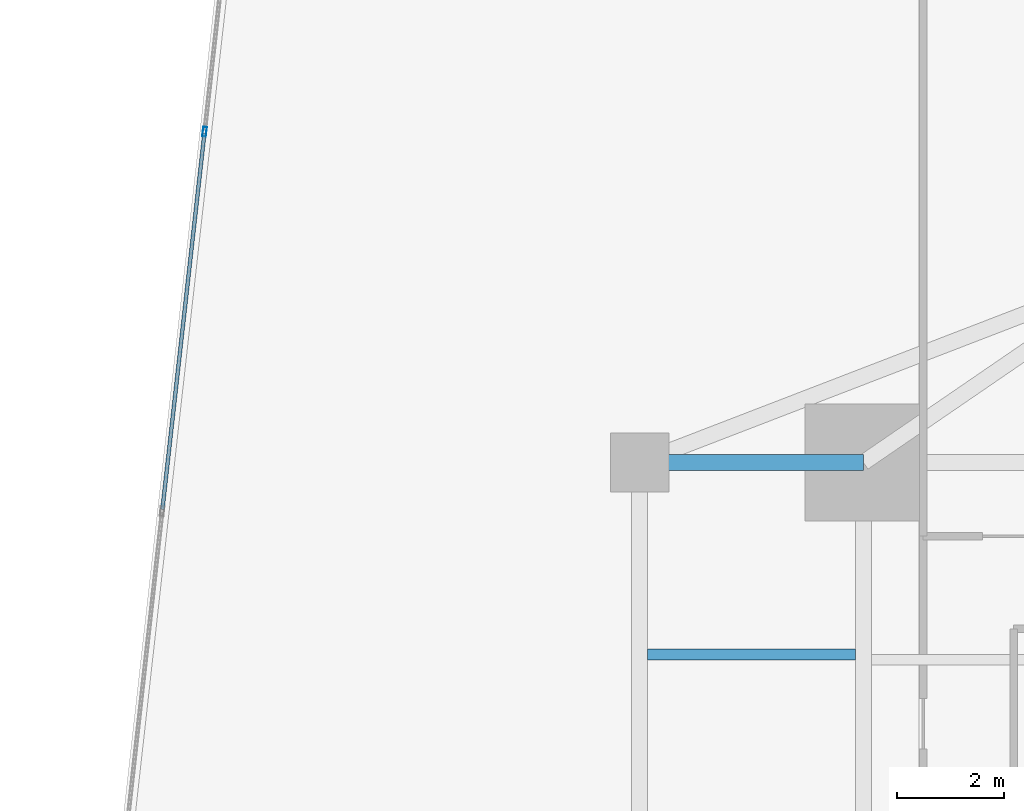
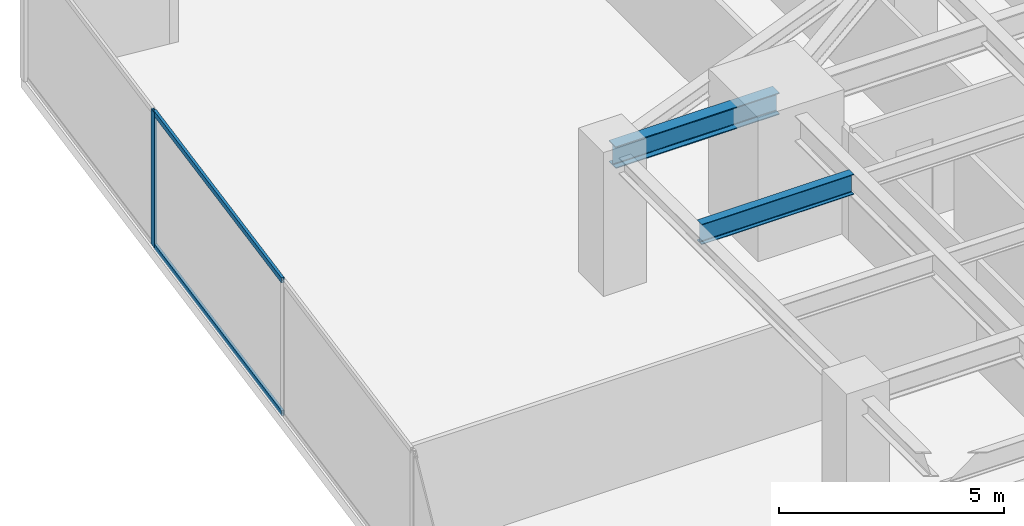
# One storey, part 16 of 31: 3 members, 2 beams, 1 element without a shape of its own.
"""IFC4 building model written with IfcOpenShell, lengths in metres."""

from ifc_helpers import new_model, si_unit, direction, frame, origin, origin_2d, place, context, subcontext, project, spatial, hollow_rectangle, i_section, extrude, source, transform, mapped, material, material_profile, profile_set, type_object, type_shapes, element, aggregate, save


model = new_model("IFC4")

# Units and contexts
model_context = context("Model", 3, precision=1e-05, world=origin(), true_north=direction((0.0, 1.0)))
body_context = subcontext(model_context, "Body", "Model", "MODEL_VIEW")
ifc_project = project(units=[si_unit("LENGTHUNIT", "METRE"), si_unit("AREAUNIT", "SQUARE_METRE"), si_unit("VOLUMEUNIT", "CUBIC_METRE"), si_unit("PLANEANGLEUNIT", "RADIAN"), si_unit("MASSUNIT", "GRAM", prefix="KILO")], contexts=[model_context])

# Site, building, storey
site_placement = place(None, origin())
site = spatial("IfcSite", under=ifc_project, at=site_placement, CompositionType="ELEMENT")
building_placement = place(site_placement, origin())
building = spatial("IfcBuilding", under=site, at=building_placement, Name="Krantzveldt Concourse Tower", CompositionType="ELEMENT")
storey_placement = place(building_placement, frame((0.0, 0.0, 56.60009765625)))
storey = spatial("IfcBuildingStorey", under=building, at=storey_placement, Name="L13", CompositionType="ELEMENT", Elevation=56.60009765625)

# Beams
ifc_material_1 = material(Name="Steel S355JR", Category="steel")
ifc_material_profile_1 = material_profile(ifc_material_1, i_section(OverallWidth=0.300048828125, OverallDepth=0.590087890625, WebThickness=0.012939453125, FlangeThickness=0.02490234375, FilletRadius=0.027099609375, at=origin_2d()), Name="Steel S355JR", Category="steel")
ifc_profile_set_1 = profile_set([ifc_material_profile_1], Name="Steel S355JR - HEA 600")
beam_type_1 = type_object("IfcBeamType", Name="BM-B-HEA600", PredefinedType="BEAM", material=ifc_profile_set_1)
shared_shape_1 = source(origin(), body_context, "Body", "SweptSolid", [
    extrude(i_section(OverallWidth=0.300048828125, OverallDepth=0.590087890625, WebThickness=0.012939453125, FlangeThickness=0.02490234375, FilletRadius=0.027099609375, at=origin_2d()), origin(), (0.0, 0.0, 1.0), 4.199951171875),
])
type_shapes(beam_type_1, [shared_shape_1])
beam_1_placement = place(storey_placement, frame((21.0, 37.5, 3.375), z_axis=(1.0, 0.0, 0.0), x_axis=(0.0, 1.0, 0.0)))
element("IfcBeam", 1, at=beam_1_placement, inside=storey, type_object=beam_type_1, Name="L13 Tower Girder BR-RL3", PredefinedType="BEAM", context=body_context, shape_type="MappedRepresentation", body=[
    mapped(shared_shape_1, transform((0.0, 0.0, 0.0), x_axis=(1.0, 0.0, 0.0), y_axis=(0.0, 1.0, 0.0), z_axis=(0.0, 0.0, 1.0), scale=1.0)),
])
ifc_material_profile_2 = material_profile(ifc_material_1, i_section(OverallWidth=0.2099609375, OverallDepth=0.550048828125, WebThickness=0.010986328125, FlangeThickness=0.01708984375, FilletRadius=0.02392578125, at=origin_2d()), Name="Steel S355JR", Category="steel")
ifc_profile_set_2 = profile_set([ifc_material_profile_2], Name="Steel S355JR - IPE 550")
beam_type_2 = type_object("IfcBeamType", Name="BM-J-IPE550", PredefinedType="JOIST", material=ifc_profile_set_2)
shared_shape_2 = source(origin(), body_context, "Body", "SweptSolid", [
    extrude(i_section(OverallWidth=0.2099609375, OverallDepth=0.550048828125, WebThickness=0.010986328125, FlangeThickness=0.01708984375, FilletRadius=0.02392578125, at=origin_2d()), origin(), (0.0, 0.0, 1.0), 3.900146484375),
])
type_shapes(beam_type_2, [shared_shape_2])
beam_2_placement = place(storey_placement, frame((21.14990234375, 33.89990234375, 3.39501953125), z_axis=(1.0, 0.0, 0.0), x_axis=(0.0, 1.0, 0.0)))
element("IfcBeam", 2, at=beam_2_placement, inside=storey, type_object=beam_type_2, Name="L13 Secondary Floor Joist JW-4", PredefinedType="JOIST", context=body_context, shape_type="MappedRepresentation", body=[
    mapped(shared_shape_2, transform((0.0, 0.0, 0.0), x_axis=(1.0, 0.0, 0.0), y_axis=(0.0, 1.0, 0.0), z_axis=(0.0, 0.0, 1.0), scale=1.0)),
])

# Curtain wall, members
ifc_material_2 = material(Name="Anodised aluminium 6063-T6", Category="aluminium")
curtain_wall_type = type_object("IfcCurtainWallType", Name="CW2", PredefinedType="USERDEFINED", material=ifc_material_2)
curtain_wall_placement = place(storey_placement, origin())
curtain_wall = element("IfcCurtainWall", 3, at=curtain_wall_placement, inside=storey, type_object=curtain_wall_type, Name="CW-L13-F01", ObjectType="UNITISED CURTAIN WALL", PredefinedType="USERDEFINED")
ifc_material_profile_3 = material_profile(ifc_material_2, hollow_rectangle(XDim=0.070068359375, YDim=0.179931640625, WallThickness=0.0048828125, at=origin_2d()), Name="Anodised aluminium 6063-T6", Category="aluminium")
ifc_profile_set_3 = profile_set([ifc_material_profile_3], Name="Anodised aluminium 6063-T6 - ALU-MULL 180x70x5")
member_type_1 = type_object("IfcMemberType", Name="CW-MUL-180", PredefinedType="MULLION", material=ifc_profile_set_3)
shared_shape_3 = source(origin(), body_context, "Body", "SweptSolid", [
    extrude(hollow_rectangle(XDim=0.070068359375, YDim=0.179931640625, WallThickness=0.0048828125, at=origin_2d()), origin(), (0.0, 0.0, 1.0), 3.669921875),
])
type_shapes(member_type_1, [shared_shape_3])
member_1_placement = place(storey_placement, frame((12.83544921875, 43.710693359375, 0.0), z_axis=(0.0, 0.0, 1.0), x_axis=(0.993816458223, -0.111035342863, 0.0)))
member_1 = element("IfcMember", 4, at=member_1_placement, type_object=member_type_1, Name="CW-Z12 mullion 2", PredefinedType="MULLION", context=body_context, shape_type="MappedRepresentation", body=[
    mapped(shared_shape_3, transform((0.0, 0.0, 0.0), x_axis=(1.0, 0.0, 0.0), y_axis=(0.0, 1.0, 0.0), z_axis=(0.0, 0.0, 1.0), scale=1.0)),
])
ifc_material_profile_4 = material_profile(ifc_material_2, hollow_rectangle(XDim=0.070068359375, YDim=0.139892578125, WallThickness=0.0048828125, at=origin_2d()), Name="Anodised aluminium 6063-T6", Category="aluminium")
ifc_profile_set_4 = profile_set([ifc_material_profile_4], Name="Anodised aluminium 6063-T6 - ALU-TRAN 140x70x5")
member_type_2 = type_object("IfcMemberType", Name="CW-TRN-150", PredefinedType="USERDEFINED", material=ifc_profile_set_4)
shared_shape_4 = source(origin(), body_context, "Body", "SweptSolid", [
    extrude(hollow_rectangle(XDim=0.070068359375, YDim=0.139892578125, WallThickness=0.0048828125, at=origin_2d()), origin(), (0.0, 0.0, 1.0), 7.0966796875),
])
type_shapes(member_type_2, [shared_shape_4])
member_2_placement = place(storey_placement, frame((12.83154296875, 43.67578125, 0.034912109375), z_axis=(-0.111016768449, -0.993818533296, 0.0), x_axis=(0.993818533296, -0.111016768449, 0.0)))
member_2 = element("IfcMember", 5, at=member_2_placement, type_object=member_type_2, Name="CW-Z12 transom 2.1", ObjectType="TRANSOM", PredefinedType="USERDEFINED", context=body_context, shape_type="MappedRepresentation", body=[
    mapped(shared_shape_4, transform((0.0, 0.0, 0.0), x_axis=(1.0, 0.0, 0.0), y_axis=(0.0, 1.0, 0.0), z_axis=(0.0, 0.0, 1.0), scale=1.0)),
])
member_3_placement = place(storey_placement, frame((12.83154296875, 43.67578125, 3.635009765625), z_axis=(-0.111016768449, -0.993818533296, 0.0), x_axis=(0.993818533296, -0.111016768449, 0.0)))
member_3 = element("IfcMember", 6, at=member_3_placement, type_object=member_type_2, Name="CW-Z12 transom 2.2", ObjectType="TRANSOM", PredefinedType="USERDEFINED", context=body_context, shape_type="MappedRepresentation", body=[
    mapped(shared_shape_4, transform((0.0, 0.0, 0.0), x_axis=(1.0, 0.0, 0.0), y_axis=(0.0, 1.0, 0.0), z_axis=(0.0, 0.0, 1.0), scale=1.0)),
])
aggregate(curtain_wall, [member_1, member_2, member_3])

save(model, "model.ifc")
